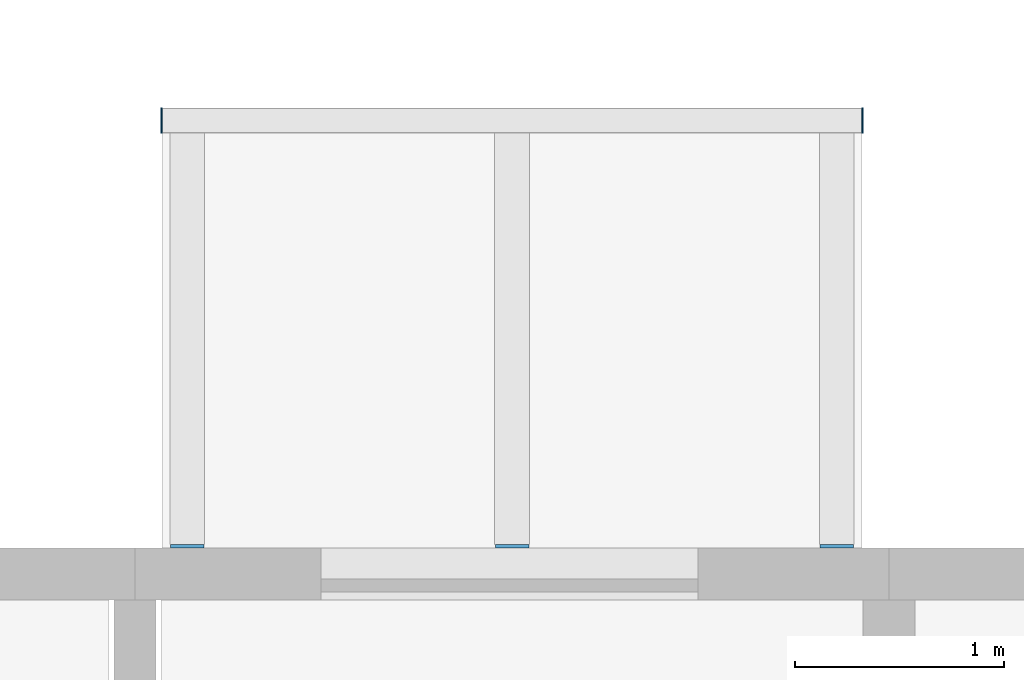
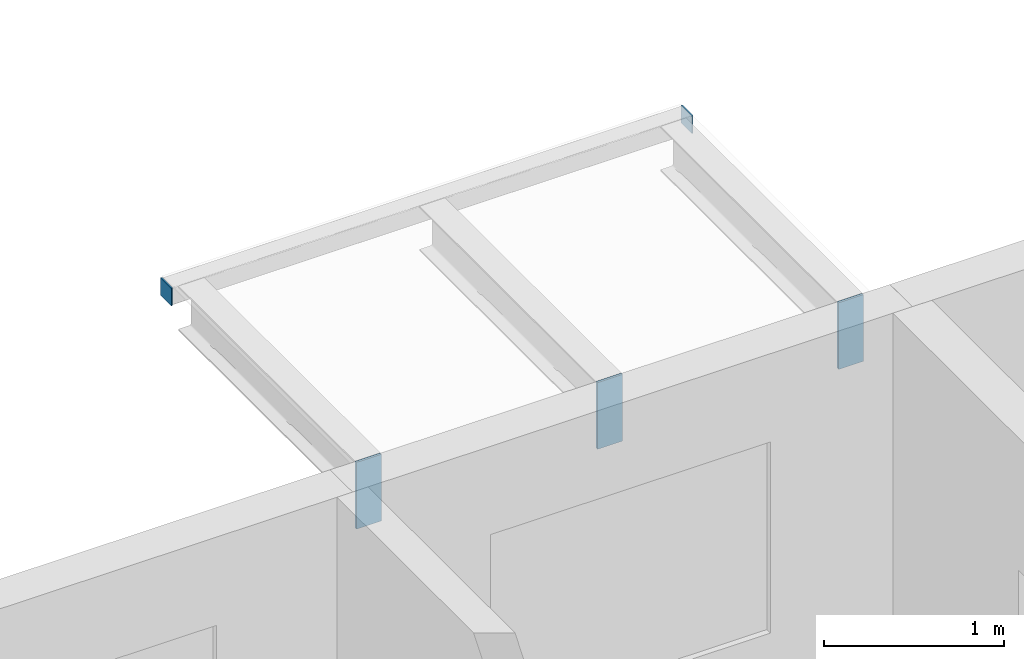
# One storey, part 73 of 98: 5 discrete accessories.
"""IFC4 building model written with IfcOpenShell, lengths in metres."""

from ifc_helpers import new_model, si_unit, direction, frame, origin, origin_2d, place, context, subcontext, project, spatial, rectangle, extrude, material, layer, layer_set, type_object, element, save


model = new_model("IFC4")

# Units and contexts
model_context = context("Model", 3, precision=1e-05, world=origin(), true_north=direction((0.0, 1.0)))
body_context = subcontext(model_context, "Body", "Model", "MODEL_VIEW")
ifc_project = project(units=[si_unit("LENGTHUNIT", "METRE"), si_unit("AREAUNIT", "SQUARE_METRE"), si_unit("VOLUMEUNIT", "CUBIC_METRE"), si_unit("PLANEANGLEUNIT", "RADIAN"), si_unit("MASSUNIT", "GRAM", prefix="KILO")], contexts=[model_context])

# Site, building, storey
site_placement = place(None, origin())
site = spatial("IfcSite", under=ifc_project, at=site_placement, CompositionType="ELEMENT")
building_placement = place(site_placement, origin())
building = spatial("IfcBuilding", under=site, at=building_placement, Name="Ridgestep Commons", CompositionType="ELEMENT")
storey_placement = place(building_placement, frame((0.0, 0.0, 12.0)))
storey = spatial("IfcBuildingStorey", under=building, at=storey_placement, Name="L04", CompositionType="ELEMENT", Elevation=12.0)

# Discrete accessories
ifc_material_1 = material(Name="Weathering steel S355J2W", Category="steel")
ifc_layer_1 = layer(ifc_material_1, 0.014892578125)
ifc_layer_set_1 = layer_set([ifc_layer_1], Name="Tray bracket plate 15")
discrete_accessory_type_1 = type_object("IfcDiscreteAccessoryType", Name="Tray bracket plate 15", PredefinedType="BRACKET", material=ifc_layer_set_1)
for number, where, z_axis, x_axis, name in (
    (1, (201.050048828125, 23.007568359375, 2.53662109375), (0.0, 0.0, 1.0), (1.0, 0.0, 0.0), "Tray bracket D4T2-05.1"),
    (2, (202.60009765625, 23.007568359375, 2.53662109375), (0.0, 0.0, 1.0), (1.0, 0.0, 0.0), "Tray bracket D4T2-05.2"),
    (3, (204.14990234375, 23.007568359375, 2.53662109375), (0.0, 0.0, 1.0), (1.0, 0.0, 0.0), "Tray bracket D4T2-05.3"),
):
    element("IfcDiscreteAccessory", number, at=place(storey_placement, frame(where, z_axis=z_axis, x_axis=x_axis)), inside=storey, type_object=discrete_accessory_type_1, Name=name, PredefinedType="BRACKET", context=body_context, shape_type="SweptSolid", body=[
        extrude(rectangle(XDim=0.159912109375, YDim=0.014892578125, at=origin_2d()), origin(), (0.0, 0.0, 1.0), 0.453369140625),
    ])
ifc_material_2 = material(Name="Weathering steel S355J2W", Category="steel")
ifc_layer_2 = layer(ifc_material_2, 0.008056640625)
ifc_layer_set_2 = layer_set([ifc_layer_2], Name="Tray edge member end plate 120 x 120 x 8")
discrete_accessory_type_2 = type_object("IfcDiscreteAccessoryType", Name="Tray edge member end plate 120 x 120 x 8", PredefinedType="BRACKET", material=ifc_layer_set_2)
for number, where, z_axis, x_axis, name in (
    (4, (200.926025390625, 25.0400390625, 2.869873046875), (0.0, 0.0, 1.0), (1.0, 0.0, 0.0), "Tray edge member end plate D4T2-05 west"),
    (5, (204.27392578125, 25.0400390625, 2.869873046875), (0.0, 0.0, 1.0), (1.0, 0.0, 0.0), "Tray edge member end plate D4T2-05 east"),
):
    element("IfcDiscreteAccessory", number, at=place(storey_placement, frame(where, z_axis=z_axis, x_axis=x_axis)), inside=storey, type_object=discrete_accessory_type_2, Name=name, PredefinedType="BRACKET", context=body_context, shape_type="SweptSolid", body=[
        extrude(rectangle(XDim=0.008056640625, YDim=0.1201171875, at=origin_2d()), origin(), (0.0, 0.0, 1.0), 0.1201171875),
    ])

save(model, "model.ifc")
